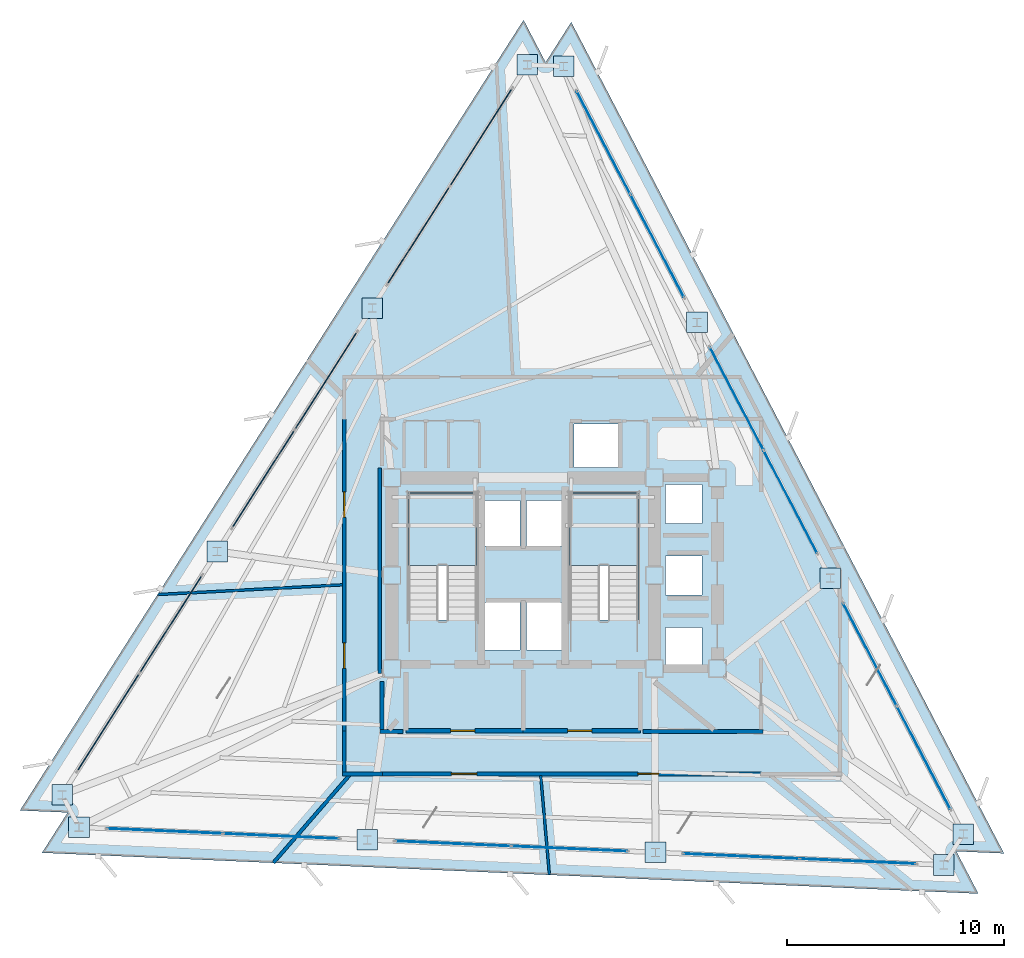
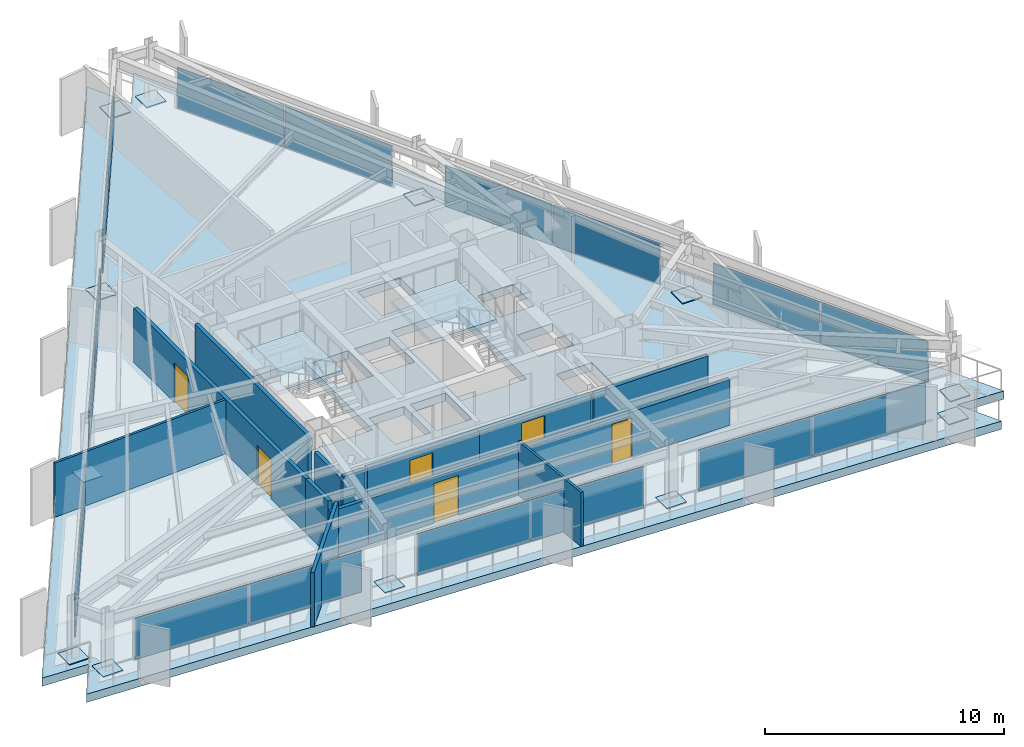
# One storey, part 7 of 12: 30 plates, 13 walls, 6 doors, 3 slabs, 6 openings, 11 elements without a shape of their own.
"""IFC4 building model written with IfcOpenShell, lengths in metres."""

import ifcopenshell
import ifcopenshell.guid

model = None  # the IFC model being written
_history = None  # IfcOwnerHistory: only IFC2X3 demands one
_inside = {}  # id of a spatial element -> (the spatial element, [elements in it])
_under = {}  # id of a project, library or spatial element -> (it, [spatial elements below it])
_declared = {}  # id of a project -> (the project, [libraries it declares])
_typed = {}  # id of a type object -> (the type object, [elements of that type])
_made_of = {}  # id of a material, layer set ... -> (it, [elements and type objects made of it])


def new_model(schema):
    """Start an empty IFC model of exactly this schema.

    Asked for "IFC4X3", IfcOpenShell would pick the latest addendum, in which some entities
    have other attributes; the version numbers below select the first issue.
    IFC2X3 requires an IfcOwnerHistory on every rooted entity: one is made here for all.
    """
    global model, _history
    if schema == "IFC4X3":
        model = ifcopenshell.file(schema_version=(4, 3, 0, 0))
    else:
        model = ifcopenshell.file(schema=schema)
    _inside.clear()
    _under.clear()
    _declared.clear()
    _typed.clear()
    _made_of.clear()
    _history = None
    if model.schema == "IFC2X3":
        org = make("IfcOrganization", Name="unknown")
        user = make(
            "IfcPersonAndOrganization",
            ThePerson=make("IfcPerson", FamilyName="unknown"),
            TheOrganization=org,
        )
        app = make(
            "IfcApplication",
            ApplicationDeveloper=org,
            Version="unknown",
            ApplicationFullName="unknown",
            ApplicationIdentifier="unknown",
        )
        _history = make(
            "IfcOwnerHistory",
            OwningUser=user,
            OwningApplication=app,
            ChangeAction="ADDED",
            CreationDate=0,
        )
    return model


def make(cls, **values):
    """One entity of the class cls with the attributes given. An attribute that is None is left unset."""
    return model.create_entity(
        cls, **{name: value for name, value in values.items() if value is not None}
    )


def rooted(cls, **values):
    """An entity with a GlobalId (a new one), such as an element, a storey or a relation."""
    return make(cls, GlobalId=ifcopenshell.guid.new(), OwnerHistory=_history, **values)


def si_unit(unit_type, name, prefix=None):
    """IfcSIUnit, for example si_unit("LENGTHUNIT", "METRE", prefix="MILLI")."""
    return make("IfcSIUnit", UnitType=unit_type, Prefix=prefix, Name=name)


def assignment(units):
    """IfcUnitAssignment: the units of a project."""
    return None if units is None else make("IfcUnitAssignment", Units=units)


def point(xyz):
    """IfcCartesianPoint."""
    return None if xyz is None else make("IfcCartesianPoint", Coordinates=xyz)


def direction(xyz):
    """IfcDirection."""
    return None if xyz is None else make("IfcDirection", DirectionRatios=xyz)


def frame(location, z_axis=None, x_axis=None):
    """IfcAxis2Placement3D, a coordinate frame: its origin and axes. An axis left out is left unset."""
    return make(
        "IfcAxis2Placement3D",
        Location=point(location),
        Axis=direction(z_axis),
        RefDirection=direction(x_axis),
    )


def frame_2d(location, x_axis=None):
    """IfcAxis2Placement2D, a coordinate frame in the plane: its origin and x axis."""
    return make(
        "IfcAxis2Placement2D", Location=point(location), RefDirection=direction(x_axis)
    )


def origin():
    """The frame at (0, 0, 0) with its axes left unset."""
    return frame((0.0, 0.0, 0.0))


def origin_2d():
    """The frame at (0, 0) in the plane with its x axis left unset."""
    return frame_2d((0.0, 0.0))


def place(relative_to, where):
    """IfcLocalPlacement: puts the frame where relative to a parent placement (None: the world)."""
    return make(
        "IfcLocalPlacement", PlacementRelTo=relative_to, RelativePlacement=where
    )


def context(
    kind, dimensions, precision=None, world=None, true_north=None, identifier=None
):
    """IfcGeometricRepresentationContext, for example the 3D "Model" context."""
    return make(
        "IfcGeometricRepresentationContext",
        ContextIdentifier=identifier,
        ContextType=kind,
        CoordinateSpaceDimension=dimensions,
        Precision=precision,
        WorldCoordinateSystem=world,
        TrueNorth=true_north,
    )


def subcontext(parent, identifier, kind, view, scale=None):
    """IfcGeometricRepresentationSubContext, for example "Body" below "Model"."""
    return make(
        "IfcGeometricRepresentationSubContext",
        ContextIdentifier=identifier,
        ContextType=kind,
        ParentContext=parent,
        TargetScale=scale,
        TargetView=view,
    )


def project(units=None, contexts=None):
    """IfcProject with its units and contexts."""
    return rooted(
        "IfcProject",
        Name="project",
        RepresentationContexts=contexts,
        UnitsInContext=assignment(units),
    )


def spatial(cls, under=None, at=None, **own):
    """A site, building, storey or space (cls), placed at a placement, below another one or the project."""
    s = rooted(cls, ObjectPlacement=at, **own)
    if under is not None:
        _under.setdefault(under.id(), (under, []))[1].append(s)
    return s


def polyline(points):
    """IfcPolyline through the points."""
    return make("IfcPolyline", Points=[point(p) for p in points])


def profile(cls, at=None, kind="AREA", **sizes):
    """A parametric profile (cls). Its sizes go by their IFC names, for example OverallWidth=200.0."""
    return make(cls, ProfileType=kind, Position=at, **sizes)


def rectangle(**sizes):
    """IfcRectangleProfileDef."""
    return profile("IfcRectangleProfileDef", **sizes)


def outline(outer, holes=None, kind="AREA"):
    """IfcArbitraryClosedProfileDef: a profile drawn as a closed curve; with holes, ...WithVoids."""
    if holes is None:
        return make("IfcArbitraryClosedProfileDef", ProfileType=kind, OuterCurve=outer)
    return make(
        "IfcArbitraryProfileDefWithVoids",
        ProfileType=kind,
        OuterCurve=outer,
        InnerCurves=holes,
    )


def extrude(swept, where, along, depth):
    """IfcExtrudedAreaSolid: the profile swept, set in the frame where, extruded along a direction by depth."""
    return make(
        "IfcExtrudedAreaSolid",
        SweptArea=swept,
        Position=where,
        ExtrudedDirection=direction(along),
        Depth=depth,
    )


def shape(context_of_items, identifier, shape_type, items):
    """IfcShapeRepresentation: the items that make up one representation, for example the "Body"."""
    return make(
        "IfcShapeRepresentation",
        ContextOfItems=context_of_items,
        RepresentationIdentifier=identifier,
        RepresentationType=shape_type,
        Items=items,
    )


def material(Name=None, Category=None):
    """IfcMaterial."""
    return make("IfcMaterial", Name=Name, Category=Category)


def layer(
    of_material, thickness, ventilated=None, Name=None, Category=None, Priority=None
):
    """IfcMaterialLayer: one layer of a wall or slab, of a material (None: an air gap)."""
    return make(
        "IfcMaterialLayer",
        Material=of_material,
        LayerThickness=thickness,
        IsVentilated=ventilated,
        Name=Name,
        Category=Category,
        Priority=Priority,
    )


def layer_set(layers, Name=None):
    """IfcMaterialLayerSet."""
    return make("IfcMaterialLayerSet", MaterialLayers=layers, LayerSetName=Name)


def made_of(thing, what):
    """Note that an element or type object is made of a material, layer set ...; save() writes the relation."""
    if what is not None:
        _made_of.setdefault(what.id(), (what, []))[1].append(thing)
    return thing


def type_object(cls, material=None, **own):
    """A type object (cls), such as IfcWallType, which elements share."""
    return made_of(rooted(cls, **own), material)


def element(
    cls,
    number,
    at=None,
    inside=None,
    cuts=None,
    type_object=None,
    material=None,
    context=None,
    identifier="Body",
    shape_type=None,
    held_by="IfcProductDefinitionShape",
    body=None,
    shapes=None,
    **own,
):
    """One element of the class cls, such as IfcWall. Its Tag is "e" and its number.

    at: its placement. inside: the storey or other place that contains it. cuts: it is an
    opening in that element (IfcRelVoidsElement). A single representation is given by context,
    identifier, shape_type and body (its items); several are given by shapes. held_by: the class
    of the entity that holds the representations. save() writes the other relations.
    """
    e = rooted(cls, Tag="e%d" % number, ObjectPlacement=at, **own)
    if body is not None:
        shapes = [shape(context, identifier, shape_type, body)]
    if shapes is not None:
        e.Representation = make(held_by, Representations=shapes)
    if inside is not None:
        _inside.setdefault(inside.id(), (inside, []))[1].append(e)
    if cuts is not None:
        rooted(
            "IfcRelVoidsElement", RelatingBuildingElement=cuts, RelatedOpeningElement=e
        )
    if type_object is not None:
        _typed.setdefault(type_object.id(), (type_object, []))[1].append(e)
    return made_of(e, material)


def fill(opening, filler):
    """IfcRelFillsElement: the door or window that sits in an opening."""
    return rooted(
        "IfcRelFillsElement",
        RelatingOpeningElement=opening,
        RelatedBuildingElement=filler,
    )


def aggregate(whole, parts):
    """IfcRelAggregates: a whole, such as a stair, and the parts it consists of."""
    return rooted("IfcRelAggregates", RelatingObject=whole, RelatedObjects=parts)


def save(model, path):
    """Write the relations noted so far, then the file.

    IfcRelAggregates (storeys below a building ...), IfcRelContainedInSpatialStructure (elements
    in a storey), IfcRelDefinesByType, IfcRelAssociatesMaterial and IfcRelDeclares: one each for
    every whole, place, type object, material and project.
    """
    for whole, parts in _under.values():
        aggregate(whole, parts)
    for where, things in _inside.values():
        rooted(
            "IfcRelContainedInSpatialStructure",
            RelatedElements=things,
            RelatingStructure=where,
        )
    for kind, things in _typed.values():
        rooted("IfcRelDefinesByType", RelatedObjects=things, RelatingType=kind)
    for what, things in _made_of.values():
        rooted("IfcRelAssociatesMaterial", RelatedObjects=things, RelatingMaterial=what)
    for by, libraries in _declared.values():
        rooted("IfcRelDeclares", RelatingContext=by, RelatedDefinitions=libraries)
    model.write(path)


model = new_model("IFC4")

# Units and contexts
model_context = context("Model", 3, precision=1e-05, world=origin(), true_north=direction((0.0, 1.0)))
body_context = subcontext(model_context, "Body", "Model", "MODEL_VIEW")
ifc_project = project(units=[si_unit("LENGTHUNIT", "METRE"), si_unit("AREAUNIT", "SQUARE_METRE"), si_unit("VOLUMEUNIT", "CUBIC_METRE"), si_unit("PLANEANGLEUNIT", "RADIAN"), si_unit("MASSUNIT", "GRAM", prefix="KILO")], contexts=[model_context])

# Site, building, storey
site_placement = place(None, origin())
site = spatial("IfcSite", under=ifc_project, at=site_placement, CompositionType="ELEMENT")
building_placement = place(site_placement, origin())
building = spatial("IfcBuilding", under=site, at=building_placement, Name="Rocaltana Carrier Exchange", CompositionType="ELEMENT")
storey_placement = place(building_placement, frame((0.0, 0.0, 125.919921875)))
storey = spatial("IfcBuildingStorey", under=building, at=storey_placement, Name="L39", CompositionType="ELEMENT", Elevation=125.919921875)

# Slab
ifc_material_1 = material(Name="Concrete C60/75", Category="concrete")
ifc_layer_1 = layer(ifc_material_1, 0.419921875)
ifc_layer_set_1 = layer_set([ifc_layer_1], Name="Concrete C60/75")
slab_type_1 = type_object("IfcSlabType", Name="Block Transfer Diaphragm Slab 420", PredefinedType="FLOOR", material=ifc_layer_set_1)
slab_1_placement = place(storey_placement, frame((0.0, 0.0, -0.419921875)))
element("IfcSlab", 1, at=slab_1_placement, inside=storey, type_object=slab_type_1, Name="L39 Structural Floor Slab", PredefinedType="FLOOR", context=body_context, shape_type="SweptSolid", body=[
    extrude(outline(polyline([(20.97998046875, -14.669921875), (19.964111328125, -12.718505859375), (22.162109375, -12.814697265625), (2.214599609375, 25.50439453125), (1.032470703125, 23.648681640625), (0.0166015625, 25.600341796875), (-23.194580078125, -10.834228515625), (-20.996826171875, -10.93017578125), (-22.1787109375, -12.78564453125), (20.97998046875, -14.669921875)]), holes=[polyline([(-5.300048828125, -2.06005859375), (-2.139892578125, -2.06005859375), (-2.139892578125, 3.800048828125), (-5.300048828125, 3.800048828125), (-5.300048828125, -2.06005859375)]), polyline([(2.139892578125, -2.06005859375), (5.300048828125, -2.06005859375), (5.300048828125, 3.800048828125), (2.139892578125, 3.800048828125), (2.139892578125, -2.06005859375)]), polyline([(-1.85009765625, -3.449951171875), (-0.14990234375, -3.449951171875), (-0.14990234375, -1.25), (-1.85009765625, -1.25), (-1.85009765625, -3.449951171875)]), polyline([(0.14990234375, -3.449951171875), (1.85009765625, -3.449951171875), (1.85009765625, -1.25), (0.14990234375, -1.25), (0.14990234375, -3.449951171875)]), polyline([(2.35009765625, 4.97998046875), (4.39990234375, 4.97998046875), (4.39990234375, 6.97998046875), (2.35009765625, 6.97998046875), (2.35009765625, 4.97998046875)]), polyline([(-1.85009765625, 1.35009765625), (-0.14990234375, 1.35009765625), (-0.14990234375, 3.449951171875), (-1.85009765625, 3.449951171875), (-1.85009765625, 1.35009765625)]), polyline([(0.14990234375, 1.35009765625), (1.85009765625, 1.35009765625), (1.85009765625, 3.449951171875), (0.14990234375, 3.449951171875), (0.14990234375, 1.35009765625)]), polyline([(6.550048828125, -4.199951171875), (8.25, -4.199951171875), (8.25, -2.39990234375), (6.550048828125, -2.39990234375), (6.550048828125, -4.199951171875)]), polyline([(6.550048828125, -0.89990234375), (8.25, -0.89990234375), (8.25, 0.89990234375), (6.550048828125, 0.89990234375), (6.550048828125, -0.89990234375)]), polyline([(6.550048828125, 2.39990234375), (8.25, 2.39990234375), (8.25, 4.199951171875), (6.550048828125, 4.199951171875), (6.550048828125, 2.39990234375)])]), origin(), (0.0, 0.0, 1.0), 0.419921875),
])

# Curtain wall, plates
ifc_material_2 = material(Name="Aluminium 6063-T6", Category="aluminium")
ifc_layer_2 = layer(ifc_material_2, 0.14990234375)
ifc_layer_set_2 = layer_set([ifc_layer_2], Name="Aluminium 6063-T6")
curtain_wall_type = type_object("IfcCurtainWallType", Name="Mid-Tower Unitised Curtain Wall CW-03", PredefinedType="NOTDEFINED", material=ifc_layer_set_2)
curtain_wall_1_placement = place(storey_placement, origin())
curtain_wall_1 = element("IfcCurtainWall", 2, at=curtain_wall_1_placement, inside=storey, type_object=curtain_wall_type, Name="L39 CW-03 Run CW-L39-F1S1", PredefinedType="NOTDEFINED")
ifc_material_3 = material(Name="Tempered Laminated Glass", Category="glass")
ifc_layer_3 = layer(ifc_material_3, 0.0400390625)
ifc_layer_set_3 = layer_set([ifc_layer_3], Name="Tempered Laminated Glass")
plate_type_1 = type_object("IfcPlateType", Name="CW-03 Stone-Insulated Vision Panel", PredefinedType="CURTAIN_PANEL", material=ifc_layer_set_3)
plate_1_placement = place(storey_placement, frame((18.460693359375, -8.4111328125, 0.06005859375), z_axis=(0.0, 0.0, 1.0), x_axis=(-0.461750348962, 0.887009929614, 0.0)))
plate_1 = element("IfcPlate", 3, at=plate_1_placement, type_object=plate_type_1, Name="CW-03 panel 1.1", PredefinedType="CURTAIN_PANEL", context=body_context, shape_type="SweptSolid", body=[
    extrude(rectangle(XDim=5.31005859375, YDim=0.0400390625, at=origin_2d()), origin(), (0.0, 0.0, 1.0), 2.097900390625),
])
plate_2_placement = place(storey_placement, frame((15.98095703125, -3.64794921875, 0.06005859375), z_axis=(0.0, 0.0, 1.0), x_axis=(-0.461750348962, 0.887009929614, 0.0)))
plate_2 = element("IfcPlate", 4, at=plate_2_placement, type_object=plate_type_1, Name="CW-03 panel 2.1", PredefinedType="CURTAIN_PANEL", context=body_context, shape_type="SweptSolid", body=[
    extrude(rectangle(XDim=5.31005859375, YDim=0.0400390625, at=origin_2d()), origin(), (0.0, 0.0, 1.0), 2.097900390625),
])
aggregate(curtain_wall_1, [plate_1, plate_2])

curtain_wall_2_placement = place(storey_placement, origin())
curtain_wall_2 = element("IfcCurtainWall", 5, at=curtain_wall_2_placement, inside=storey, type_object=curtain_wall_type, Name="L39 CW-03 Run CW-L39-F1S2", PredefinedType="NOTDEFINED")
plate_3_placement = place(storey_placement, frame((12.3193359375, 3.385986328125, 0.06005859375), z_axis=(0.0, 0.0, 1.0), x_axis=(-0.461746856235, 0.887011747812, 0.0)))
plate_3 = element("IfcPlate", 6, at=plate_3_placement, type_object=plate_type_1, Name="CW-03 panel 1.1", PredefinedType="CURTAIN_PANEL", context=body_context, shape_type="SweptSolid", body=[
    extrude(rectangle(XDim=5.309814453125, YDim=0.0400390625, at=origin_2d()), origin(), (0.0, 0.0, 1.0), 2.097900390625),
])
plate_4_placement = place(storey_placement, frame((9.83984375, 8.1494140625, 0.06005859375), z_axis=(0.0, 0.0, 1.0), x_axis=(-0.461746856235, 0.887011747812, 0.0)))
plate_4 = element("IfcPlate", 7, at=plate_4_placement, type_object=plate_type_1, Name="CW-03 panel 2.1", PredefinedType="CURTAIN_PANEL", context=body_context, shape_type="SweptSolid", body=[
    extrude(rectangle(XDim=5.309814453125, YDim=0.0400390625, at=origin_2d()), origin(), (0.0, 0.0, 1.0), 2.097900390625),
])
aggregate(curtain_wall_2, [plate_3, plate_4])

curtain_wall_3_placement = place(storey_placement, origin())
curtain_wall_3 = element("IfcCurtainWall", 8, at=curtain_wall_3_placement, inside=storey, type_object=curtain_wall_type, Name="L39 CW-03 Run CW-L39-F1S3", PredefinedType="NOTDEFINED")
plate_5_placement = place(storey_placement, frame((6.17822265625, 15.183349609375, 0.06005859375), z_axis=(0.0, 0.0, 1.0), x_axis=(-0.461754141383, 0.887007955385, 0.0)))
plate_5 = element("IfcPlate", 9, at=plate_5_placement, type_object=plate_type_1, Name="CW-03 panel 1.1", PredefinedType="CURTAIN_PANEL", context=body_context, shape_type="SweptSolid", body=[
    extrude(rectangle(XDim=5.31005859375, YDim=0.0400390625, at=origin_2d()), origin(), (0.0, 0.0, 1.0), 2.097900390625),
])
plate_6_placement = place(storey_placement, frame((3.698486328125, 19.946533203125, 0.06005859375), z_axis=(0.0, 0.0, 1.0), x_axis=(-0.461754141383, 0.887007955385, 0.0)))
plate_6 = element("IfcPlate", 10, at=plate_6_placement, type_object=plate_type_1, Name="CW-03 panel 2.1", PredefinedType="CURTAIN_PANEL", context=body_context, shape_type="SweptSolid", body=[
    extrude(rectangle(XDim=5.31005859375, YDim=0.0400390625, at=origin_2d()), origin(), (0.0, 0.0, 1.0), 2.097900390625),
])
aggregate(curtain_wall_3, [plate_5, plate_6])

curtain_wall_4_placement = place(storey_placement, origin())
curtain_wall_4 = element("IfcCurtainWall", 11, at=curtain_wall_4_placement, inside=storey, type_object=curtain_wall_type, Name="L39 CW-03 Run CW-L39-F2S1", PredefinedType="NOTDEFINED")
plate_7_placement = place(storey_placement, frame((-1.946044921875, 20.19287109375, 0.06005859375), z_axis=(0.0, 0.0, 1.0), x_axis=(-0.537300801443, -0.843390685726, 0.0)))
plate_7 = element("IfcPlate", 12, at=plate_7_placement, type_object=plate_type_1, Name="CW-03 panel 1.1", PredefinedType="CURTAIN_PANEL", context=body_context, shape_type="SweptSolid", body=[
    extrude(rectangle(XDim=5.31005859375, YDim=0.0400390625, at=origin_2d()), origin(), (0.0, 0.0, 1.0), 2.097900390625),
])
plate_8_placement = place(storey_placement, frame((-4.831298828125, 15.663818359375, 0.06005859375), z_axis=(0.0, 0.0, 1.0), x_axis=(-0.537300801443, -0.843390685726, 0.0)))
plate_8 = element("IfcPlate", 13, at=plate_8_placement, type_object=plate_type_1, Name="CW-03 panel 2.1", PredefinedType="CURTAIN_PANEL", context=body_context, shape_type="SweptSolid", body=[
    extrude(rectangle(XDim=5.31005859375, YDim=0.0400390625, at=origin_2d()), origin(), (0.0, 0.0, 1.0), 2.097900390625),
])
aggregate(curtain_wall_4, [plate_7, plate_8])

curtain_wall_5_placement = place(storey_placement, origin())
curtain_wall_5 = element("IfcCurtainWall", 14, at=curtain_wall_5_placement, inside=storey, type_object=curtain_wall_type, Name="L39 CW-03 Run CW-L39-F2S2", PredefinedType="NOTDEFINED")
plate_9_placement = place(storey_placement, frame((-9.092041015625, 8.975830078125, 0.06005859375), z_axis=(0.0, 0.0, 1.0), x_axis=(-0.537300801443, -0.843390685726, 0.0)))
plate_9 = element("IfcPlate", 15, at=plate_9_placement, type_object=plate_type_1, Name="CW-03 panel 1.1", PredefinedType="CURTAIN_PANEL", context=body_context, shape_type="SweptSolid", body=[
    extrude(rectangle(XDim=5.31005859375, YDim=0.0400390625, at=origin_2d()), origin(), (0.0, 0.0, 1.0), 2.097900390625),
])
plate_10_placement = place(storey_placement, frame((-11.977294921875, 4.44677734375, 0.06005859375), z_axis=(0.0, 0.0, 1.0), x_axis=(-0.537300801443, -0.843390685726, 0.0)))
plate_10 = element("IfcPlate", 16, at=plate_10_placement, type_object=plate_type_1, Name="CW-03 panel 2.1", PredefinedType="CURTAIN_PANEL", context=body_context, shape_type="SweptSolid", body=[
    extrude(rectangle(XDim=5.31005859375, YDim=0.0400390625, at=origin_2d()), origin(), (0.0, 0.0, 1.0), 2.097900390625),
])
aggregate(curtain_wall_5, [plate_9, plate_10])

curtain_wall_6_placement = place(storey_placement, origin())
curtain_wall_6 = element("IfcCurtainWall", 17, at=curtain_wall_6_placement, inside=storey, type_object=curtain_wall_type, Name="L39 CW-03 Run CW-L39-F2S3", PredefinedType="NOTDEFINED")
plate_11_placement = place(storey_placement, frame((-16.23828125, -2.2412109375, 0.06005859375), z_axis=(0.0, 0.0, 1.0), x_axis=(-0.537300801443, -0.843390685726, 0.0)))
plate_11 = element("IfcPlate", 18, at=plate_11_placement, type_object=plate_type_1, Name="CW-03 panel 1.1", PredefinedType="CURTAIN_PANEL", context=body_context, shape_type="SweptSolid", body=[
    extrude(rectangle(XDim=5.31005859375, YDim=0.0400390625, at=origin_2d()), origin(), (0.0, 0.0, 1.0), 2.097900390625),
])
plate_12_placement = place(storey_placement, frame((-19.12353515625, -6.770263671875, 0.06005859375), z_axis=(0.0, 0.0, 1.0), x_axis=(-0.537300801443, -0.843390685726, 0.0)))
plate_12 = element("IfcPlate", 19, at=plate_12_placement, type_object=plate_type_1, Name="CW-03 panel 2.1", PredefinedType="CURTAIN_PANEL", context=body_context, shape_type="SweptSolid", body=[
    extrude(rectangle(XDim=5.31005859375, YDim=0.0400390625, at=origin_2d()), origin(), (0.0, 0.0, 1.0), 2.097900390625),
])
aggregate(curtain_wall_6, [plate_11, plate_12])

curtain_wall_7_placement = place(storey_placement, origin())
curtain_wall_7 = element("IfcCurtainWall", 20, at=curtain_wall_7_placement, inside=storey, type_object=curtain_wall_type, Name="L39 CW-03 Run CW-L39-F3S1", PredefinedType="NOTDEFINED")
plate_13_placement = place(storey_placement, frame((-16.5146484375, -11.78173828125, 0.06005859375), z_axis=(0.0, 0.0, 1.0), x_axis=(0.999047789154, -0.043629290456, 0.0)))
plate_13 = element("IfcPlate", 21, at=plate_13_placement, type_object=plate_type_1, Name="CW-03 panel 1.1", PredefinedType="CURTAIN_PANEL", context=body_context, shape_type="SweptSolid", body=[
    extrude(rectangle(XDim=5.31005859375, YDim=0.0400390625, at=origin_2d()), origin(), (0.0, 0.0, 1.0), 2.097900390625),
])
plate_14_placement = place(storey_placement, frame((-11.149658203125, -12.01611328125, 0.06005859375), z_axis=(0.0, 0.0, 1.0), x_axis=(0.999047789154, -0.043629290456, 0.0)))
plate_14 = element("IfcPlate", 22, at=plate_14_placement, type_object=plate_type_1, Name="CW-03 panel 2.1", PredefinedType="CURTAIN_PANEL", context=body_context, shape_type="SweptSolid", body=[
    extrude(rectangle(XDim=5.31005859375, YDim=0.0400390625, at=origin_2d()), origin(), (0.0, 0.0, 1.0), 2.097900390625),
])
aggregate(curtain_wall_7, [plate_13, plate_14])

curtain_wall_8_placement = place(storey_placement, origin())
curtain_wall_8 = element("IfcCurtainWall", 23, at=curtain_wall_8_placement, inside=storey, type_object=curtain_wall_type, Name="L39 CW-03 Run CW-L39-F3S2", PredefinedType="NOTDEFINED")
plate_15_placement = place(storey_placement, frame((-3.227294921875, -12.36181640625, 0.06005859375), z_axis=(0.0, 0.0, 1.0), x_axis=(0.999048175081, -0.043620452398, 0.0)))
plate_15 = element("IfcPlate", 24, at=plate_15_placement, type_object=plate_type_1, Name="CW-03 panel 1.1", PredefinedType="CURTAIN_PANEL", context=body_context, shape_type="SweptSolid", body=[
    extrude(rectangle(XDim=5.31005859375, YDim=0.0400390625, at=origin_2d()), origin(), (0.0, 0.0, 1.0), 2.097900390625),
])
plate_16_placement = place(storey_placement, frame((2.1376953125, -12.59619140625, 0.06005859375), z_axis=(0.0, 0.0, 1.0), x_axis=(0.999048175081, -0.043620452398, 0.0)))
plate_16 = element("IfcPlate", 25, at=plate_16_placement, type_object=plate_type_1, Name="CW-03 panel 2.1", PredefinedType="CURTAIN_PANEL", context=body_context, shape_type="SweptSolid", body=[
    extrude(rectangle(XDim=5.31005859375, YDim=0.0400390625, at=origin_2d()), origin(), (0.0, 0.0, 1.0), 2.097900390625),
])
aggregate(curtain_wall_8, [plate_15, plate_16])

curtain_wall_9_placement = place(storey_placement, origin())
curtain_wall_9 = element("IfcCurtainWall", 26, at=curtain_wall_9_placement, inside=storey, type_object=curtain_wall_type, Name="L39 CW-03 Run CW-L39-F3S3", PredefinedType="NOTDEFINED")
plate_17_placement = place(storey_placement, frame((10.06005859375, -12.942138671875, 0.06005859375), z_axis=(0.0, 0.0, 1.0), x_axis=(0.999047789154, -0.043629290456, 0.0)))
plate_17 = element("IfcPlate", 27, at=plate_17_placement, type_object=plate_type_1, Name="CW-03 panel 1.1", PredefinedType="CURTAIN_PANEL", context=body_context, shape_type="SweptSolid", body=[
    extrude(rectangle(XDim=5.31005859375, YDim=0.0400390625, at=origin_2d()), origin(), (0.0, 0.0, 1.0), 2.097900390625),
])
plate_18_placement = place(storey_placement, frame((15.425048828125, -13.17626953125, 0.06005859375), z_axis=(0.0, 0.0, 1.0), x_axis=(0.999047789154, -0.043629290456, 0.0)))
plate_18 = element("IfcPlate", 28, at=plate_18_placement, type_object=plate_type_1, Name="CW-03 panel 2.1", PredefinedType="CURTAIN_PANEL", context=body_context, shape_type="SweptSolid", body=[
    extrude(rectangle(XDim=5.31005859375, YDim=0.0400390625, at=origin_2d()), origin(), (0.0, 0.0, 1.0), 2.097900390625),
])
aggregate(curtain_wall_9, [plate_17, plate_18])

# Plates
ifc_material_4 = material(Name="Steel S460", Category="steel")
ifc_layer_4 = layer(ifc_material_4, 0.0400390625)
ifc_layer_set_4 = layer_set([ifc_layer_4], Name="Steel S460")
plate_type_2 = type_object("IfcPlateType", Name="Column Base Bearing Plate 950x950x40", PredefinedType="SHEET", material=ifc_layer_set_4)
for number, where, z_axis, x_axis, name in (
    (29, (20.29150390625, -11.92822265625, 0.0), (0.0, 0.0, 1.0), (1.0, 0.0, 0.0), "L39 Block Transfer Bearing Plate TC01"),
    (30, (14.150146484375, -0.130859375, 0.0), (0.0, 0.0, 1.0), (1.0, 0.0, 0.0), "L39 Block Transfer Bearing Plate TC02"),
    (31, (8.009033203125, 11.666259765625, 0.0), (0.0, 0.0, 1.0), (1.0, 0.0, 0.0), "L39 Block Transfer Bearing Plate TC03"),
    (32, (1.86767578125, 23.46337890625, 0.0), (0.0, 0.0, 1.0), (1.0, 0.0, 0.0), "L39 Block Transfer Bearing Plate TC04"),
    (33, (0.184326171875, 23.537109375, 0.0), (0.0, 0.0, 1.0), (1.0, 0.0, 0.0), "L39 Block Transfer Bearing Plate TC05"),
    (34, (-6.961669921875, 12.31982421875, 0.0), (0.0, 0.0, 1.0), (1.0, 0.0, 0.0), "L39 Block Transfer Bearing Plate TC06"),
    (35, (-14.10791015625, 1.102783203125, 0.0), (0.0, 0.0, 1.0), (1.0, 0.0, 0.0), "L39 Block Transfer Bearing Plate TC07"),
    (36, (-21.25390625, -10.1142578125, 0.0), (0.0, 0.0, 1.0), (1.0, 0.0, 0.0), "L39 Block Transfer Bearing Plate TC08"),
    (37, (-20.475830078125, -11.60888671875, 0.0), (0.0, 0.0, 1.0), (1.0, 0.0, 0.0), "L39 Block Transfer Bearing Plate TC09"),
    (38, (-7.1884765625, -12.18896484375, 0.0), (0.0, 0.0, 1.0), (1.0, 0.0, 0.0), "L39 Block Transfer Bearing Plate TC10"),
    (39, (6.098876953125, -12.76904296875, 0.0), (0.0, 0.0, 1.0), (1.0, 0.0, 0.0), "L39 Block Transfer Bearing Plate TC11"),
    (40, (19.38623046875, -13.349365234375, 0.0), (0.0, 0.0, 1.0), (1.0, 0.0, 0.0), "L39 Block Transfer Bearing Plate TC12"),
):
    element("IfcPlate", number, at=place(storey_placement, frame(where, z_axis=z_axis, x_axis=x_axis)), inside=storey, type_object=plate_type_2, Name=name, PredefinedType="SHEET", context=body_context, shape_type="SweptSolid", body=[
        extrude(rectangle(XDim=0.949951171875, YDim=0.949951171875, at=origin_2d()), origin(), (0.0, 0.0, 1.0), 0.0400390625),
    ])

# Stair, slab
ifc_material_5 = material(Name="Precast concrete C45/55", Category="concrete")
stair_type = type_object("IfcStairType", Name="Standard Dog-Leg Stair 160", PredefinedType="HALF_TURN_STAIR", material=ifc_material_5)
stair_1_placement = place(storey_placement, origin())
stair_1 = element("IfcStair", 41, at=stair_1_placement, inside=storey, type_object=stair_type, Name="L39 Core West Exit Stair ST-1", PredefinedType="HALF_TURN_STAIR")
ifc_material_6 = material(Name="Precast concrete C45/55", Category="concrete")
ifc_layer_5 = layer(ifc_material_6, 0.199951171875)
ifc_layer_set_5 = layer_set([ifc_layer_5], Name="Precast concrete C45/55")
slab_type_2 = type_object("IfcSlabType", Name="Precast Stair Half-Landing 200", PredefinedType="LANDING", material=ifc_layer_set_5)
slab_2_placement = place(storey_placement, frame((0.0, 0.0, 1.320068359375)))
slab_2 = element("IfcSlab", 42, at=slab_2_placement, type_object=slab_type_2, Name="ST-1 landing 1", PredefinedType="LANDING", context=body_context, shape_type="SweptSolid", body=[
    extrude(outline(polyline([(-2.139892578125, 0.4599609375), (-2.139892578125, 3.800048828125), (-5.300048828125, 3.800048828125), (-5.300048828125, 0.4599609375), (-2.139892578125, 0.4599609375)])), origin(), (0.0, 0.0, 1.0), 0.199951171875),
])
aggregate(stair_1, [slab_2])

stair_2_placement = place(storey_placement, origin())
stair_2 = element("IfcStair", 43, at=stair_2_placement, inside=storey, type_object=stair_type, Name="L39 Core East Exit Stair ST-2", PredefinedType="HALF_TURN_STAIR")
slab_3_placement = place(storey_placement, frame((0.0, 0.0, 1.320068359375)))
slab_3 = element("IfcSlab", 44, at=slab_3_placement, type_object=slab_type_2, Name="ST-2 landing 1", PredefinedType="LANDING", context=body_context, shape_type="SweptSolid", body=[
    extrude(outline(polyline([(5.300048828125, 0.4599609375), (5.300048828125, 3.800048828125), (2.139892578125, 3.800048828125), (2.139892578125, 0.4599609375), (5.300048828125, 0.4599609375)])), origin(), (0.0, 0.0, 1.0), 0.199951171875),
])
aggregate(stair_2, [slab_3])

# Walls
ifc_material_7 = material(Name="Double Acoustic Gypsum Partition", Category="gypsum")
ifc_layer_6 = layer(ifc_material_7, 0.159912109375)
ifc_layer_set_6 = layer_set([ifc_layer_6], Name="Double Acoustic Gypsum Partition")
wall_type_1 = type_object("IfcWallType", Name="Acoustic Studio Partition 160 EI60", PredefinedType="PARTITIONING", material=ifc_layer_set_6)
wall_1_placement = place(storey_placement, frame((-8.0234375, -9.22998046875, 0.0), z_axis=(0.0, 0.0, 1.0), x_axis=(-0.656052478168, -0.754715274716, 0.0)))
element("IfcWall", 45, at=wall_1_placement, inside=storey, type_object=wall_type_1, Name="L39 Suite Divider Wall D3", PredefinedType="PARTITIONING", context=body_context, shape_type="SweptSolid", body=[
    extrude(rectangle(XDim=5.315185546875, YDim=0.159912109375, at=frame_2d((2.65771484375, 0.0))), origin(), (0.0, 0.0, 1.0), 2.76318359375),
])
ifc_material_8 = material(Name="Gypsum & Steel Stud Partition", Category="steel")
ifc_layer_7 = layer(ifc_material_8, 0.179931640625)
ifc_layer_set_7 = layer_set([ifc_layer_7], Name="Gypsum & Steel Stud Partition")
wall_type_2 = type_object("IfcWallType", Name="Corridor Fire Partition 180 EI60", PredefinedType="PARTITIONING", material=ifc_layer_set_7)
wall_2_placement = place(storey_placement, frame((-6.47998046875, -9.14990234375, 0.0), z_axis=(0.0, 0.0, 1.0), x_axis=(-1.0, 0.0, 0.0)))
element("IfcWall", 46, at=wall_2_placement, inside=storey, type_object=wall_type_2, Name="L39 Corridor Partition 1", PredefinedType="PARTITIONING", context=body_context, shape_type="SweptSolid", body=[
    extrude(rectangle(XDim=1.860107421875, YDim=0.179931640625, at=frame_2d((0.93017578125, 0.0))), origin(), (0.0, 0.0, 1.0), 2.330078125),
])
wall_3_placement = place(storey_placement, frame((-8.25, -9.06005859375, 0.0), z_axis=(0.0, 0.0, 1.0), x_axis=(0.0, 1.0, 0.0)))
element("IfcWall", 47, at=wall_3_placement, inside=storey, type_object=wall_type_2, Name="L39 Corridor Partition 2", PredefinedType="PARTITIONING", context=body_context, shape_type="SweptSolid", body=[
    extrude(rectangle(XDim=1.880126953125, YDim=0.179931640625, at=frame_2d((0.93994140625, 0.0))), origin(), (0.0, 0.0, 1.0), 2.76318359375),
])

# Wall, openings, doors
wall_4_placement = place(storey_placement, frame((-8.25, -7.219970703125, 0.0), z_axis=(0.0, 0.0, 1.0), x_axis=(0.0, 1.0, 0.0)))
wall_4 = element("IfcWall", 48, at=wall_4_placement, inside=storey, type_object=wall_type_2, Name="L39 Corridor Partition 3", PredefinedType="PARTITIONING", context=body_context, shape_type="SweptSolid", body=[
    extrude(rectangle(XDim=14.43994140625, YDim=0.179931640625, at=frame_2d((7.219970703125, 0.0))), origin(), (0.0, 0.0, 1.0), 2.76318359375),
])
opening_1_placement = place(wall_4_placement, frame((2.931884765625, 0.0, 0.0)))
opening_1 = element("IfcOpeningElement", 49, at=opening_1_placement, cuts=wall_4, Name="Opening D-SU120", PredefinedType="OPENING", context=body_context, shape_type="SweptSolid", body=[
    extrude(rectangle(XDim=1.179931640625, YDim=2.02001953125, at=frame_2d((0.58984375, 1.010009765625))), frame((0.0, 0.099853515625, 0.0), z_axis=(0.0, -1.0, 0.0), x_axis=(1.0, 0.0, 0.0)), (0.0, 0.0, 1.0), 0.199951171875),
])
opening_2_placement = place(wall_4_placement, frame((9.8916015625, 0.0, 0.0)))
opening_2 = element("IfcOpeningElement", 50, at=opening_2_placement, cuts=wall_4, Name="Opening D-SU120", PredefinedType="OPENING", context=body_context, shape_type="SweptSolid", body=[
    extrude(rectangle(XDim=1.179931640625, YDim=2.02001953125, at=frame_2d((0.58984375, 1.010009765625))), frame((0.0, 0.099853515625, 0.0), z_axis=(0.0, -1.0, 0.0), x_axis=(1.0, 0.0, 0.0)), (0.0, 0.0, 1.0), 0.199951171875),
])
ifc_material_9 = material(Name="Engineered Hardwood Timber", Category="wood")
door_type_1 = type_object("IfcDoorType", Name="Suite Double Entrance Door 1180x2020", OperationType="NOTDEFINED", PredefinedType="DOOR", material=ifc_material_9)
door_1_placement = place(opening_1_placement, origin())
door_1 = element("IfcDoor", 51, at=door_1_placement, inside=storey, type_object=door_type_1, Name="L39 Carrier Peering Suite Entrance Door", OperationType="SINGLE_SWING_LEFT", OverallHeight=2.02001953125, OverallWidth=1.179931640625, PredefinedType="DOOR", context=body_context, shape_type="SweptSolid", body=[
    extrude(rectangle(XDim=1.179931640625, YDim=2.02001953125, at=frame_2d((0.58984375, 1.010009765625))), frame((0.0, 0.02490234375, 0.0), z_axis=(0.0, -1.0, 0.0), x_axis=(1.0, 0.0, 0.0)), (0.0, 0.0, 1.0), 0.050048828125),
])
fill(opening_1, door_1)
door_2_placement = place(opening_2_placement, origin())
door_2 = element("IfcDoor", 52, at=door_2_placement, inside=storey, type_object=door_type_1, Name="L39 Carrier Peering Suite Entrance Door", OperationType="SINGLE_SWING_LEFT", OverallHeight=2.02001953125, OverallWidth=1.179931640625, PredefinedType="DOOR", context=body_context, shape_type="SweptSolid", body=[
    extrude(rectangle(XDim=1.179931640625, YDim=2.02001953125, at=frame_2d((0.58984375, 1.010009765625))), frame((0.0, 0.02490234375, 0.0), z_axis=(0.0, -1.0, 0.0), x_axis=(1.0, 0.0, 0.0)), (0.0, 0.0, 1.0), 0.050048828125),
])
fill(opening_2, door_2)

wall_5_placement = place(storey_placement, frame((10.97998046875, -9.14990234375, 0.0), z_axis=(0.0, 0.0, 1.0), x_axis=(-1.0, 0.0, 0.0)))
wall_5 = element("IfcWall", 53, at=wall_5_placement, inside=storey, type_object=wall_type_2, Name="L39 Corridor Partition 11", PredefinedType="PARTITIONING", context=body_context, shape_type="SweptSolid", body=[
    extrude(rectangle(XDim=17.5, YDim=0.179931640625, at=frame_2d((8.75, 0.0))), origin(), (0.0, 0.0, 1.0), 2.330078125),
])
opening_3_placement = place(wall_5_placement, frame((13.1162109375, 0.0, 0.0)))
opening_3 = element("IfcOpeningElement", 54, at=opening_3_placement, cuts=wall_5, Name="Opening D-SU120", PredefinedType="OPENING", context=body_context, shape_type="SweptSolid", body=[
    extrude(rectangle(XDim=1.179931640625, YDim=2.02001953125, at=frame_2d((0.58984375, 1.010009765625))), frame((0.0, 0.099853515625, 0.0), z_axis=(0.0, -1.0, 0.0), x_axis=(1.0, 0.0, 0.0)), (0.0, 0.0, 1.0), 0.199951171875),
])
opening_4_placement = place(wall_5_placement, frame((4.736328125, 0.0, 0.0)))
opening_4 = element("IfcOpeningElement", 55, at=opening_4_placement, cuts=wall_5, Name="Opening D-RM098", PredefinedType="OPENING", context=body_context, shape_type="SweptSolid", body=[
    extrude(rectangle(XDim=0.9599609375, YDim=2.02001953125, at=frame_2d((0.47998046875, 1.010009765625))), frame((0.0, 0.099853515625, 0.0), z_axis=(0.0, -1.0, 0.0), x_axis=(1.0, 0.0, 0.0)), (0.0, 0.0, 1.0), 0.199951171875),
])
door_3_placement = place(opening_3_placement, origin())
door_3 = element("IfcDoor", 56, at=door_3_placement, inside=storey, type_object=door_type_1, Name="L39 Carrier Peering Suite Entrance Door", OperationType="SINGLE_SWING_RIGHT", OverallHeight=2.02001953125, OverallWidth=1.179931640625, PredefinedType="DOOR", context=body_context, shape_type="SweptSolid", body=[
    extrude(rectangle(XDim=1.179931640625, YDim=2.02001953125, at=frame_2d((0.58984375, 1.010009765625))), frame((0.0, 0.02490234375, 0.0), z_axis=(0.0, -1.0, 0.0), x_axis=(1.0, 0.0, 0.0)), (0.0, 0.0, 1.0), 0.050048828125),
])
fill(opening_3, door_3)
ifc_material_10 = material(Name="Engineered Hardwood Timber", Category="wood")
door_type_2 = type_object("IfcDoorType", Name="Workspace Single Door 960x2020", OperationType="NOTDEFINED", PredefinedType="DOOR", material=ifc_material_10)
door_4_placement = place(opening_4_placement, origin())
door_4 = element("IfcDoor", 57, at=door_4_placement, inside=storey, type_object=door_type_2, Name="L39 Cloud Architecture Office Entrance Door", OperationType="SINGLE_SWING_LEFT", OverallHeight=2.02001953125, OverallWidth=0.9599609375, PredefinedType="DOOR", context=body_context, shape_type="SweptSolid", body=[
    extrude(rectangle(XDim=0.9599609375, YDim=2.02001953125, at=frame_2d((0.47998046875, 1.010009765625))), frame((0.0, 0.02490234375, 0.0), z_axis=(0.0, -1.0, 0.0), x_axis=(1.0, 0.0, 0.0)), (0.0, 0.0, 1.0), 0.050048828125),
])
fill(opening_4, door_4)

# Walls
wall_6_placement = place(storey_placement, frame((5.530029296875, -7.199951171875, 0.0), z_axis=(0.0, 0.0, 1.0), x_axis=(1.0, 0.0, 0.0)))
element("IfcWall", 58, at=wall_6_placement, inside=storey, type_object=wall_type_2, Name="L39 Corridor Partition 12", PredefinedType="PARTITIONING", context=body_context, shape_type="SweptSolid", body=[
    extrude(rectangle(XDim=5.52001953125, YDim=0.179931640625, at=frame_2d((2.760009765625, 0.0))), origin(), (0.0, 0.0, 1.0), 2.330078125),
])
wall_7_placement = place(storey_placement, frame((-6.610107421875, 4.93994140625, 0.0), z_axis=(0.0, 0.0, 1.0), x_axis=(0.0, -1.0, 0.0)))
element("IfcWall", 59, at=wall_7_placement, inside=storey, type_object=wall_type_2, Name="L39 Corridor Partition 18", PredefinedType="PARTITIONING", context=body_context, shape_type="SweptSolid", body=[
    extrude(rectangle(XDim=9.4599609375, YDim=0.179931640625, at=frame_2d((4.72998046875, 0.0))), origin(), (0.0, 0.0, 1.0), 2.76318359375),
])
wall_8_placement = place(storey_placement, frame((-6.5, -4.8798828125, 0.0), z_axis=(0.0, 0.0, 1.0), x_axis=(0.0, -1.0, 0.0)))
element("IfcWall", 60, at=wall_8_placement, inside=storey, type_object=wall_type_2, Name="L39 Corridor Partition 19", PredefinedType="PARTITIONING", context=body_context, shape_type="SweptSolid", body=[
    extrude(rectangle(XDim=2.230224609375, YDim=0.179931640625, at=frame_2d((1.115234375, 0.0))), origin(), (0.0, 0.0, 1.0), 2.132080078125),
])
wall_9_placement = place(storey_placement, frame((-6.590087890625, -7.199951171875, 0.0), z_axis=(0.0, 0.0, 1.0), x_axis=(1.0, 0.0, 0.0)))
element("IfcWall", 61, at=wall_9_placement, inside=storey, type_object=wall_type_2, Name="L39 Corridor Partition 20", PredefinedType="PARTITIONING", context=body_context, shape_type="SweptSolid", body=[
    extrude(rectangle(XDim=1.06005859375, YDim=0.179931640625, at=frame_2d((0.530029296875, 0.0))), origin(), (0.0, 0.0, 1.0), 2.330078125),
])
ifc_material_11 = material(Name="Aluminium 6063-T6 & Acoustic Glass", Category="aluminium")
ifc_layer_8 = layer(ifc_material_11, 0.114990234375)
ifc_layer_set_8 = layer_set([ifc_layer_8], Name="Aluminium 6063-T6 & Acoustic Glass")
wall_type_3 = type_object("IfcWallType", Name="Demountable Glazed Lab Partition 115", PredefinedType="MOVABLE", material=ifc_layer_set_8)
wall_10_placement = place(storey_placement, frame((-8.330078125, -0.4365234375, 0.0), z_axis=(0.0, 0.0, 1.0), x_axis=(-0.998628646782, -0.052352897024, 0.0)))
element("IfcWall", 62, at=wall_10_placement, inside=storey, type_object=wall_type_3, Name="L39 Suite Divider Wall D1", PredefinedType="MOVABLE", context=body_context, shape_type="SweptSolid", body=[
    extrude(rectangle(XDim=8.524658203125, YDim=0.114990234375, at=frame_2d((4.26220703125, 0.0))), origin(), (0.0, 0.0, 1.0), 2.76318359375),
])
wall_11_placement = place(storey_placement, frame((0.8076171875, -9.22998046875, 0.0), z_axis=(0.0, 0.0, 1.0), x_axis=(0.087130613331, -0.996196896311, 0.0)))
element("IfcWall", 63, at=wall_11_placement, inside=storey, type_object=wall_type_3, Name="L39 Suite Divider Wall D4", PredefinedType="MOVABLE", context=body_context, shape_type="SweptSolid", body=[
    extrude(rectangle(XDim=4.583984375, YDim=0.114990234375, at=frame_2d((2.2919921875, 0.0))), origin(), (0.0, 0.0, 1.0), 2.76318359375),
])

# Wall, opening, door
ifc_material_12 = material(Name="Autoclaved Aerated Concrete C30/37", Category="concrete")
ifc_layer_9 = layer(ifc_material_12, 0.219970703125)
ifc_layer_set_9 = layer_set([ifc_layer_9], Name="Autoclaved Aerated Concrete C30/37")
wall_type_4 = type_object("IfcWallType", Name="Firefighting Lobby Wall 220 EI120", PredefinedType="PARTITIONING", material=ifc_layer_set_9)
wall_12_placement = place(storey_placement, frame((-5.39990234375, -7.159912109375, 0.0), z_axis=(0.0, 0.0, 1.0), x_axis=(1.0, 0.0, 0.0)))
wall_12 = element("IfcWall", 64, at=wall_12_placement, inside=storey, type_object=wall_type_4, Name="L39 FFL Lobby 1 South Wall", PredefinedType="PARTITIONING", context=body_context, shape_type="SweptSolid", body=[
    extrude(rectangle(XDim=5.39990234375, YDim=0.219970703125, at=frame_2d((2.699951171875, 0.0))), origin(), (0.0, 0.0, 1.0), 2.330078125),
])
opening_5_placement = place(wall_12_placement, frame((2.050048828125, 0.0, 0.0)))
opening_5 = element("IfcOpeningElement", 65, at=opening_5_placement, cuts=wall_12, Name="Opening D-FF115", PredefinedType="OPENING", context=body_context, shape_type="SweptSolid", body=[
    extrude(rectangle(XDim=1.1201171875, YDim=2.02001953125, at=frame_2d((0.56005859375, 1.010009765625))), frame((0.0, 0.119873046875, 0.0), z_axis=(0.0, -1.0, 0.0), x_axis=(1.0, 0.0, 0.0)), (0.0, 0.0, 1.0), 0.239990234375),
])
ifc_material_13 = material(Name="Hollow Metal Fire Door Assembly", Category="steel")
door_type_3 = type_object("IfcDoorType", Name="Firefighting Lobby Door 1120x2020 FD60S", OperationType="NOTDEFINED", PredefinedType="DOOR", material=ifc_material_13)
door_5_placement = place(opening_5_placement, origin())
door_5 = element("IfcDoor", 66, at=door_5_placement, inside=storey, type_object=door_type_3, Name="L39 Firefighting Lift Lobby 1 Door", OperationType="SINGLE_SWING_LEFT", OverallHeight=2.02001953125, OverallWidth=1.1201171875, PredefinedType="DOOR", context=body_context, shape_type="SweptSolid", body=[
    extrude(rectangle(XDim=1.1201171875, YDim=2.02001953125, at=frame_2d((0.56005859375, 1.010009765625))), frame((0.0, 0.02490234375, 0.0), z_axis=(0.0, -1.0, 0.0), x_axis=(1.0, 0.0, 0.0)), (0.0, 0.0, 1.0), 0.050048828125),
])
fill(opening_5, door_5)

wall_13_placement = place(storey_placement, frame((0.0, -7.159912109375, 0.0), z_axis=(0.0, 0.0, 1.0), x_axis=(1.0, 0.0, 0.0)))
wall_13 = element("IfcWall", 67, at=wall_13_placement, inside=storey, type_object=wall_type_4, Name="L39 FFL Lobby 2 South Wall", PredefinedType="PARTITIONING", context=body_context, shape_type="SweptSolid", body=[
    extrude(rectangle(XDim=5.39990234375, YDim=0.219970703125, at=frame_2d((2.699951171875, 0.0))), origin(), (0.0, 0.0, 1.0), 2.330078125),
])
opening_6_placement = place(wall_13_placement, frame((2.050048828125, 0.0, 0.0)))
opening_6 = element("IfcOpeningElement", 68, at=opening_6_placement, cuts=wall_13, Name="Opening D-FF115", PredefinedType="OPENING", context=body_context, shape_type="SweptSolid", body=[
    extrude(rectangle(XDim=1.1201171875, YDim=2.02001953125, at=frame_2d((0.56005859375, 1.010009765625))), frame((0.0, 0.119873046875, 0.0), z_axis=(0.0, -1.0, 0.0), x_axis=(1.0, 0.0, 0.0)), (0.0, 0.0, 1.0), 0.239990234375),
])
door_6_placement = place(opening_6_placement, origin())
door_6 = element("IfcDoor", 69, at=door_6_placement, inside=storey, type_object=door_type_3, Name="L39 Firefighting Lift Lobby 2 Door", OperationType="SINGLE_SWING_RIGHT", OverallHeight=2.02001953125, OverallWidth=1.1201171875, PredefinedType="DOOR", context=body_context, shape_type="SweptSolid", body=[
    extrude(rectangle(XDim=1.1201171875, YDim=2.02001953125, at=frame_2d((0.56005859375, 1.010009765625))), frame((0.0, 0.02490234375, 0.0), z_axis=(0.0, -1.0, 0.0), x_axis=(1.0, 0.0, 0.0)), (0.0, 0.0, 1.0), 0.050048828125),
])
fill(opening_6, door_6)

save(model, "model.ifc")
